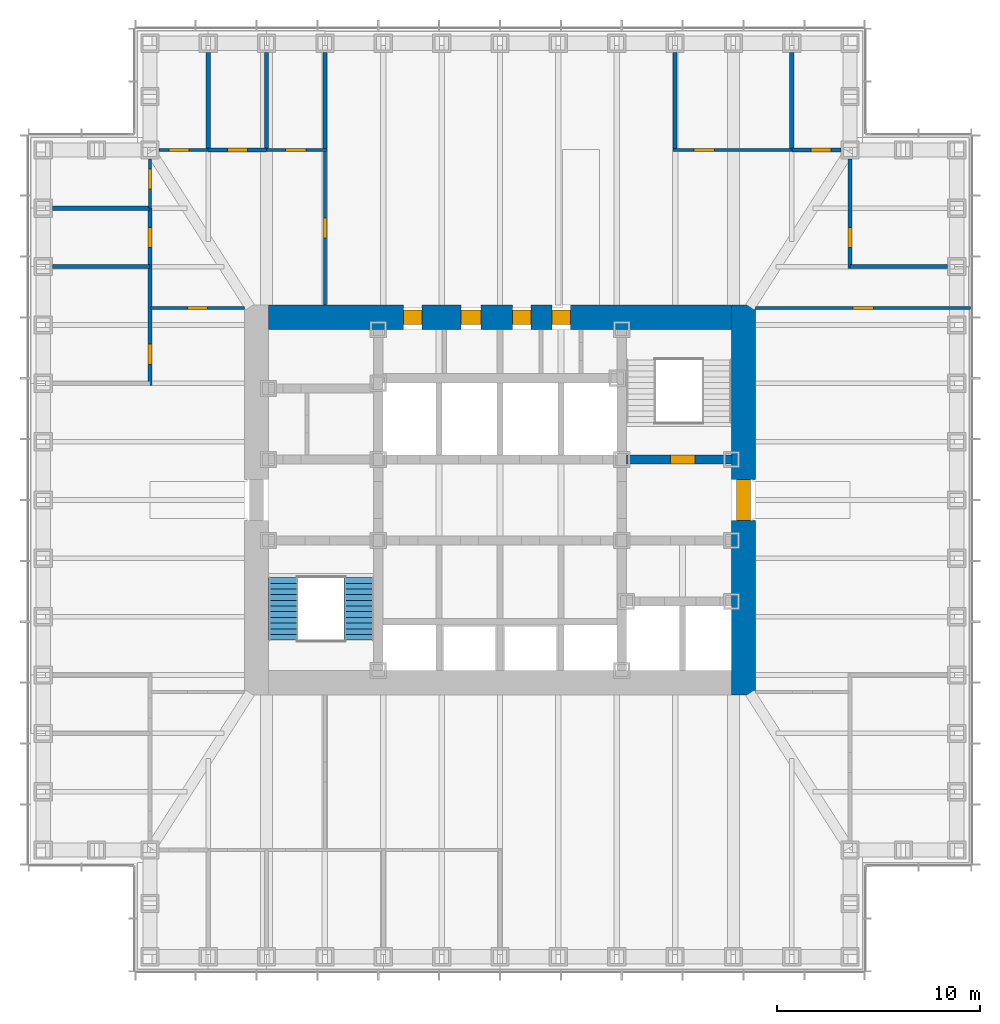
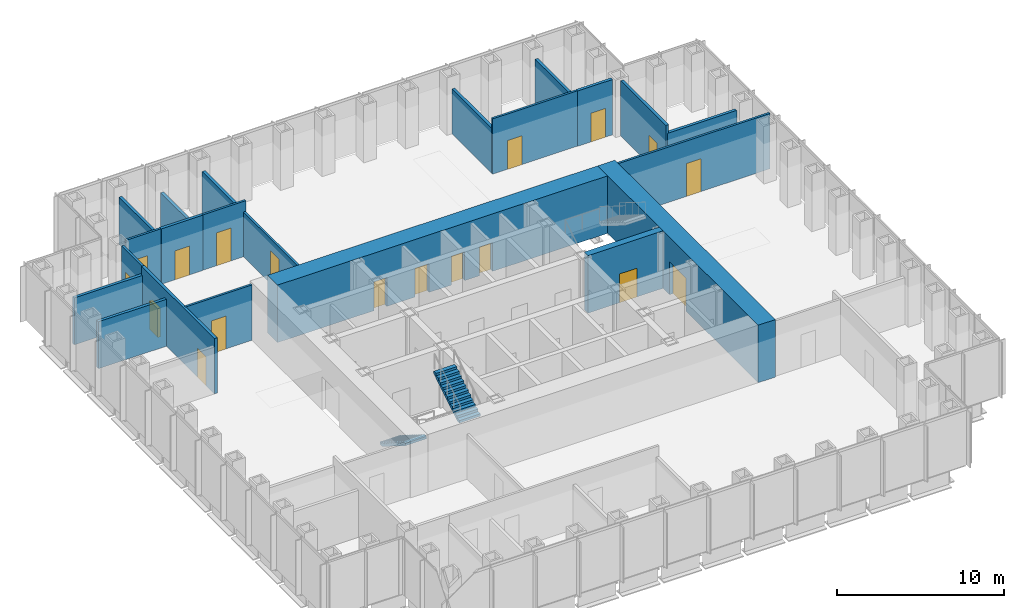
# One storey, part 10 of 17: 22 walls, 18 doors, 2 stair flights, 18 openings, 1 element without a shape of its own.
"""IFC4 building model written with IfcOpenShell, lengths in metres."""

from ifc_helpers import new_model, si_unit, direction, frame, frame_2d, origin, place, context, subcontext, project, spatial, polyline, rectangle, outline, extrude, material, layer, layer_set, type_object, element, fill, aggregate, save


model = new_model("IFC4")

# Units and contexts
model_context = context("Model", 3, precision=1e-05, world=origin(), true_north=direction((0.0, 1.0)))
body_context = subcontext(model_context, "Body", "Model", "MODEL_VIEW")
ifc_project = project(units=[si_unit("LENGTHUNIT", "METRE"), si_unit("AREAUNIT", "SQUARE_METRE"), si_unit("VOLUMEUNIT", "CUBIC_METRE"), si_unit("PLANEANGLEUNIT", "RADIAN"), si_unit("MASSUNIT", "GRAM", prefix="KILO")], contexts=[model_context])

# Site, building, storey
site_placement = place(None, origin())
site = spatial("IfcSite", under=ifc_project, at=site_placement, CompositionType="ELEMENT")
building_placement = place(site_placement, origin())
building = spatial("IfcBuilding", under=site, at=building_placement, Name="Daluyong Arena Tower", CompositionType="ELEMENT")
storey_placement = place(building_placement, frame((0.0, 0.0, 158.5)))
storey = spatial("IfcBuildingStorey", under=building, at=storey_placement, Name="L35", CompositionType="ELEMENT", Elevation=158.5)

# Wall, opening, door
ifc_material_1 = material(Name="Concrete fc' 45 MPa", Category="concrete")
ifc_layer_1 = layer(ifc_material_1, 0.449951171875)
ifc_layer_set_1 = layer_set([ifc_layer_1], Name="Concrete fc' 45 MPa")
wall_type_1 = type_object("IfcWallType", Name="Core inner wall 450", PredefinedType="SHEAR", material=ifc_layer_set_1)
wall_1_placement = place(storey_placement, frame((62.22509765625, 82.0, 0.0), z_axis=(0.0, 0.0, 1.0), x_axis=(1.0, 0.0, 0.0)))
wall_1 = element("IfcWall", 1, at=wall_1_placement, inside=storey, type_object=wall_type_1, Name="core inner wall at L35", PredefinedType="SHEAR", context=body_context, shape_type="SweptSolid", body=[
    extrude(rectangle(XDim=5.1748046875, YDim=0.449951171875, at=frame_2d((2.58740234375, 0.0))), origin(), (0.0, 0.0, 1.0), 4.199951171875),
])
opening_1_placement = place(wall_1_placement, frame((2.175048828125, 0.0, 0.0)))
opening_1 = element("IfcOpeningElement", 2, at=opening_1_placement, cuts=wall_1, Name="Opening 35014", PredefinedType="OPENING", context=body_context, shape_type="SweptSolid", body=[
    extrude(rectangle(XDim=1.199951171875, YDim=2.10009765625, at=frame_2d((0.60009765625, 1.050048828125))), frame((0.0, 0.23486328125, 0.0), z_axis=(0.0, -1.0, 0.0), x_axis=(1.0, 0.0, 0.0)), (0.0, 0.0, 1.0), 0.469970703125),
])
ifc_material_2 = material(Name="Steel door, fire rated", Category="steel")
door_type_1 = type_object("IfcDoorType", Name="Stair door 1200", OperationType="SINGLE_SWING_LEFT", PredefinedType="DOOR", material=ifc_material_2)
door_1_placement = place(opening_1_placement, origin())
door_1 = element("IfcDoor", 3, at=door_1_placement, inside=storey, type_object=door_type_1, Name="stair B door 35014", OperationType="SINGLE_SWING_LEFT", OverallHeight=2.10009765625, OverallWidth=1.199951171875, PredefinedType="DOOR", context=body_context, shape_type="SweptSolid", body=[
    extrude(rectangle(XDim=1.199951171875, YDim=2.10009765625, at=frame_2d((0.60009765625, 1.050048828125))), frame((0.0, 0.224609375, 0.0), z_axis=(0.0, -1.0, 0.0), x_axis=(1.0, 0.0, 0.0)), (0.0, 0.0, 1.0), 0.449462890625),
])
fill(opening_1, door_1)

ifc_material_3 = material(Name="Concrete fc' 60 MPa", Category="concrete")
ifc_layer_2 = layer(ifc_material_3, 1.199951171875)
ifc_layer_set_2 = layer_set([ifc_layer_2], Name="Concrete fc' 60 MPa")
wall_type_2 = type_object("IfcWallType", Name="Core wall 1200", PredefinedType="SHEAR", material=ifc_layer_set_2)
wall_2_placement = place(storey_placement, frame((68.0, 70.39990234375, 0.0), z_axis=(0.0, 0.0, 1.0), x_axis=(0.0, 1.0, 0.0)))
wall_2 = element("IfcWall", 4, at=wall_2_placement, inside=storey, type_object=wall_type_2, Name="core wall at L35", PredefinedType="SHEAR", context=body_context, shape_type="SweptSolid", body=[
    extrude(rectangle(XDim=19.2001953125, YDim=1.199951171875, at=frame_2d((9.60009765625, 0.0))), origin(), (0.0, 0.0, 1.0), 4.199951171875),
])
opening_2_placement = place(wall_2_placement, frame((8.60009765625, 0.0, 0.0)))
opening_2 = element("IfcOpeningElement", 5, at=opening_2_placement, cuts=wall_2, Name="Opening 35016", PredefinedType="OPENING", context=body_context, shape_type="SweptSolid", body=[
    extrude(rectangle(XDim=2.0, YDim=2.39990234375, at=frame_2d((1.0, 1.199951171875))), frame((0.0, 0.60986328125, 0.0), z_axis=(0.0, -1.0, 0.0), x_axis=(1.0, 0.0, 0.0)), (0.0, 0.0, 1.0), 1.219970703125),
])
ifc_material_4 = material(Name="Steel door, fire rated", Category="steel")
door_type_2 = type_object("IfcDoorType", Name="Core lobby double door 2000", OperationType="DOUBLE_DOOR_SINGLE_SWING", PredefinedType="DOOR", material=ifc_material_4)
door_2_placement = place(opening_2_placement, origin())
door_2 = element("IfcDoor", 6, at=door_2_placement, inside=storey, type_object=door_type_2, Name="core lobby door east 35016", OperationType="DOUBLE_DOOR_SINGLE_SWING", OverallHeight=2.39990234375, OverallWidth=2.0, PredefinedType="DOOR", context=body_context, shape_type="SweptSolid", body=[
    extrude(rectangle(XDim=2.0, YDim=2.39990234375, at=frame_2d((1.0, 1.199951171875))), frame((0.0, 0.35009765625, 0.0), z_axis=(0.0, -1.0, 0.0), x_axis=(1.0, 0.0, 0.0)), (0.0, 0.0, 1.0), 0.699951171875),
])
fill(opening_2, door_2)

# Wall, openings, doors
wall_3_placement = place(storey_placement, frame((44.60009765625, 89.0, 0.0), z_axis=(0.0, 0.0, 1.0), x_axis=(1.0, 0.0, 0.0)))
wall_3 = element("IfcWall", 7, at=wall_3_placement, inside=storey, type_object=wall_type_2, Name="core wall at L35", PredefinedType="SHEAR", context=body_context, shape_type="SweptSolid", body=[
    extrude(rectangle(XDim=22.7998046875, YDim=1.199951171875, at=frame_2d((11.39990234375, 0.0))), origin(), (0.0, 0.0, 1.0), 4.199951171875),
])
opening_3_placement = place(wall_3_placement, frame((9.47509765625, 0.0, 0.0)))
opening_3 = element("IfcOpeningElement", 8, at=opening_3_placement, cuts=wall_3, Name="Opening 35004", PredefinedType="OPENING", context=body_context, shape_type="SweptSolid", body=[
    extrude(rectangle(XDim=1.0, YDim=2.10009765625, at=frame_2d((0.5, 1.050048828125))), frame((0.0, 0.60986328125, 0.0), z_axis=(0.0, -1.0, 0.0), x_axis=(1.0, 0.0, 0.0)), (0.0, 0.0, 1.0), 1.219970703125),
])
opening_4_placement = place(wall_3_placement, frame((6.64990234375, 0.0, 0.0)))
opening_4 = element("IfcOpeningElement", 9, at=opening_4_placement, cuts=wall_3, Name="Opening 35005", PredefinedType="OPENING", context=body_context, shape_type="SweptSolid", body=[
    extrude(rectangle(XDim=0.89990234375, YDim=2.10009765625, at=frame_2d((0.449951171875, 1.050048828125))), frame((0.0, 0.60986328125, 0.0), z_axis=(0.0, -1.0, 0.0), x_axis=(1.0, 0.0, 0.0)), (0.0, 0.0, 1.0), 1.219970703125),
])
opening_5_placement = place(wall_3_placement, frame((12.02490234375, 0.0, 0.0)))
opening_5 = element("IfcOpeningElement", 10, at=opening_5_placement, cuts=wall_3, Name="Opening 35006", PredefinedType="OPENING", context=body_context, shape_type="SweptSolid", body=[
    extrude(rectangle(XDim=0.89990234375, YDim=2.10009765625, at=frame_2d((0.449951171875, 1.050048828125))), frame((0.0, 0.60986328125, 0.0), z_axis=(0.0, -1.0, 0.0), x_axis=(1.0, 0.0, 0.0)), (0.0, 0.0, 1.0), 1.219970703125),
])
opening_6_placement = place(wall_3_placement, frame((13.96240234375, 0.0, 0.0)))
opening_6 = element("IfcOpeningElement", 11, at=opening_6_placement, cuts=wall_3, Name="Opening 35007", PredefinedType="OPENING", context=body_context, shape_type="SweptSolid", body=[
    extrude(rectangle(XDim=0.89990234375, YDim=2.10009765625, at=frame_2d((0.449951171875, 1.050048828125))), frame((0.0, 0.60986328125, 0.0), z_axis=(0.0, -1.0, 0.0), x_axis=(1.0, 0.0, 0.0)), (0.0, 0.0, 1.0), 1.219970703125),
])
ifc_material_5 = material(Name="Timber door", Category="wood")
door_type_3 = type_object("IfcDoorType", Name="Accessible toilet door 1000", OperationType="SINGLE_SWING_LEFT", PredefinedType="DOOR", material=ifc_material_5)
door_3_placement = place(opening_3_placement, origin())
door_3 = element("IfcDoor", 12, at=door_3_placement, inside=storey, type_object=door_type_3, Name="accessible toilet door 35004", OperationType="SINGLE_SWING_LEFT", OverallHeight=2.10009765625, OverallWidth=1.0, PredefinedType="DOOR", context=body_context, shape_type="SweptSolid", body=[
    extrude(rectangle(XDim=1.0, YDim=2.10009765625, at=frame_2d((0.5, 1.050048828125))), frame((0.0, 0.35009765625, 0.0), z_axis=(0.0, -1.0, 0.0), x_axis=(1.0, 0.0, 0.0)), (0.0, 0.0, 1.0), 0.699951171875),
])
fill(opening_3, door_3)
ifc_material_6 = material(Name="Steel door, fire rated", Category="steel")
door_type_4 = type_object("IfcDoorType", Name="Core room door 900", OperationType="SINGLE_SWING_LEFT", PredefinedType="DOOR", material=ifc_material_6)
door_4_placement = place(opening_4_placement, origin())
door_4 = element("IfcDoor", 13, at=door_4_placement, inside=storey, type_object=door_type_4, Name="staff pantry door 35005", OperationType="SINGLE_SWING_LEFT", OverallHeight=2.10009765625, OverallWidth=0.89990234375, PredefinedType="DOOR", context=body_context, shape_type="SweptSolid", body=[
    extrude(rectangle(XDim=0.89990234375, YDim=2.10009765625, at=frame_2d((0.449951171875, 1.050048828125))), frame((0.0, 0.35009765625, 0.0), z_axis=(0.0, -1.0, 0.0), x_axis=(1.0, 0.0, 0.0)), (0.0, 0.0, 1.0), 0.699951171875),
])
fill(opening_4, door_4)
ifc_material_7 = material(Name="Steel door, fire rated", Category="steel")
door_type_5 = type_object("IfcDoorType", Name="Core store door 900", OperationType="SINGLE_SWING_LEFT", PredefinedType="DOOR", material=ifc_material_7)
door_5_placement = place(opening_5_placement, origin())
door_5 = element("IfcDoor", 14, at=door_5_placement, inside=storey, type_object=door_type_5, Name="facilities store door 35006", OperationType="SINGLE_SWING_LEFT", OverallHeight=2.10009765625, OverallWidth=0.89990234375, PredefinedType="DOOR", context=body_context, shape_type="SweptSolid", body=[
    extrude(rectangle(XDim=0.89990234375, YDim=2.10009765625, at=frame_2d((0.449951171875, 1.050048828125))), frame((0.0, 0.35009765625, 0.0), z_axis=(0.0, -1.0, 0.0), x_axis=(1.0, 0.0, 0.0)), (0.0, 0.0, 1.0), 0.699951171875),
])
fill(opening_5, door_5)
door_6_placement = place(opening_6_placement, origin())
door_6 = element("IfcDoor", 15, at=door_6_placement, inside=storey, type_object=door_type_5, Name="stationery store door 35007", OperationType="SINGLE_SWING_LEFT", OverallHeight=2.10009765625, OverallWidth=0.89990234375, PredefinedType="DOOR", context=body_context, shape_type="SweptSolid", body=[
    extrude(rectangle(XDim=0.89990234375, YDim=2.10009765625, at=frame_2d((0.449951171875, 1.050048828125))), frame((0.0, 0.35009765625, 0.0), z_axis=(0.0, -1.0, 0.0), x_axis=(1.0, 0.0, 0.0)), (0.0, 0.0, 1.0), 0.699951171875),
])
fill(opening_6, door_6)

# Wall, opening, door
ifc_material_8 = material(Name="Glazed aluminium partition", Category="aluminium")
ifc_layer_3 = layer(ifc_material_8, 0.14990234375)
ifc_layer_set_3 = layer_set([ifc_layer_3], Name="Glazed aluminium partition")
wall_type_3 = type_object("IfcWallType", Name="Glazed partition 150", PredefinedType="PARTITIONING", material=ifc_layer_set_3)
wall_4_placement = place(storey_placement, frame((38.800048828125, 89.449951171875, 0.0), z_axis=(0.0, 0.0, 1.0), x_axis=(1.0, 0.0, 0.0)))
wall_4 = element("IfcWall", 16, at=wall_4_placement, inside=storey, type_object=wall_type_3, Name="glazed partition at L35", PredefinedType="PARTITIONING", context=body_context, shape_type="SweptSolid", body=[
    extrude(rectangle(XDim=4.599853515625, YDim=0.14990234375, at=frame_2d((2.2998046875, 0.0))), origin(), (0.0, 0.0, 1.0), 4.0400390625),
])
opening_7_placement = place(wall_4_placement, frame((1.800048828125, 0.0, 0.0)))
opening_7 = element("IfcOpeningElement", 17, at=opening_7_placement, cuts=wall_4, Name="Opening 35043", PredefinedType="OPENING", context=body_context, shape_type="SweptSolid", body=[
    extrude(rectangle(XDim=1.0, YDim=2.39990234375, at=frame_2d((0.5, 1.199951171875))), frame((0.0, 0.0849609375, 0.0), z_axis=(0.0, -1.0, 0.0), x_axis=(1.0, 0.0, 0.0)), (0.0, 0.0, 1.0), 0.169921875),
])
ifc_material_9 = material(Name="Glazed aluminium door", Category="aluminium")
door_type_6 = type_object("IfcDoorType", Name="Meeting room glazed door 1000", OperationType="SINGLE_SWING_RIGHT", PredefinedType="DOOR", material=ifc_material_9)
door_7_placement = place(opening_7_placement, origin())
door_7 = element("IfcDoor", 18, at=door_7_placement, inside=storey, type_object=door_type_6, Name="team area screen door 35043", OperationType="SINGLE_SWING_RIGHT", OverallHeight=2.39990234375, OverallWidth=1.0, PredefinedType="DOOR", context=body_context, shape_type="SweptSolid", body=[
    extrude(rectangle(XDim=1.0, YDim=2.39990234375, at=frame_2d((0.5, 1.199951171875))), frame((0.0, 0.07470703125, 0.0), z_axis=(0.0, -1.0, 0.0), x_axis=(1.0, 0.0, 0.0)), (0.0, 0.0, 1.0), 0.1494140625),
])
fill(opening_7, door_7)

wall_5_placement = place(storey_placement, frame((68.60009765625, 89.449951171875, 0.0), z_axis=(0.0, 0.0, 1.0), x_axis=(1.0, 0.0, 0.0)))
wall_5 = element("IfcWall", 19, at=wall_5_placement, inside=storey, type_object=wall_type_3, Name="glazed partition at L35", PredefinedType="PARTITIONING", context=body_context, shape_type="SweptSolid", body=[
    extrude(rectangle(XDim=10.58984375, YDim=0.14990234375, at=frame_2d((5.294921875, 0.0))), origin(), (0.0, 0.0, 1.0), 4.0400390625),
])
opening_8_placement = place(wall_5_placement, frame((4.794921875, 0.0, 0.0)))
opening_8 = element("IfcOpeningElement", 20, at=opening_8_placement, cuts=wall_5, Name="Opening 35045", PredefinedType="OPENING", context=body_context, shape_type="SweptSolid", body=[
    extrude(rectangle(XDim=1.0, YDim=2.39990234375, at=frame_2d((0.5, 1.199951171875))), frame((0.0, 0.0849609375, 0.0), z_axis=(0.0, -1.0, 0.0), x_axis=(1.0, 0.0, 0.0)), (0.0, 0.0, 1.0), 0.169921875),
])
door_8_placement = place(opening_8_placement, origin())
door_8 = element("IfcDoor", 21, at=door_8_placement, inside=storey, type_object=door_type_6, Name="team area screen door 35045", OperationType="SINGLE_SWING_RIGHT", OverallHeight=2.39990234375, OverallWidth=1.0, PredefinedType="DOOR", context=body_context, shape_type="SweptSolid", body=[
    extrude(rectangle(XDim=1.0, YDim=2.39990234375, at=frame_2d((0.5, 1.199951171875))), frame((0.0, 0.07470703125, 0.0), z_axis=(0.0, -1.0, 0.0), x_axis=(1.0, 0.0, 0.0)), (0.0, 0.0, 1.0), 0.1494140625),
])
fill(opening_8, door_8)

wall_6_placement = place(storey_placement, frame((39.199951171875, 97.25, 0.0), z_axis=(0.0, 0.0, 1.0), x_axis=(1.0, 0.0, 0.0)))
wall_6 = element("IfcWall", 22, at=wall_6_placement, inside=storey, type_object=wall_type_3, Name="glazed partition at L35", PredefinedType="PARTITIONING", context=body_context, shape_type="SweptSolid", body=[
    extrude(rectangle(XDim=2.425048828125, YDim=0.14990234375, at=frame_2d((1.21240234375, 0.0))), origin(), (0.0, 0.0, 1.0), 4.0400390625),
])
opening_9_placement = place(wall_6_placement, frame((0.487548828125, 0.0, 0.0)))
opening_9 = element("IfcOpeningElement", 23, at=opening_9_placement, cuts=wall_6, Name="Opening 35032", PredefinedType="OPENING", context=body_context, shape_type="SweptSolid", body=[
    extrude(rectangle(XDim=1.0, YDim=2.39990234375, at=frame_2d((0.5, 1.199951171875))), frame((0.0, 0.0849609375, 0.0), z_axis=(0.0, -1.0, 0.0), x_axis=(1.0, 0.0, 0.0)), (0.0, 0.0, 1.0), 0.169921875),
])
door_9_placement = place(opening_9_placement, origin())
door_9 = element("IfcDoor", 24, at=door_9_placement, inside=storey, type_object=door_type_6, Name="focus room door 35032", OperationType="SINGLE_SWING_RIGHT", OverallHeight=2.39990234375, OverallWidth=1.0, PredefinedType="DOOR", context=body_context, shape_type="SweptSolid", body=[
    extrude(rectangle(XDim=1.0, YDim=2.39990234375, at=frame_2d((0.5, 1.199951171875))), frame((0.0, 0.07470703125, 0.0), z_axis=(0.0, -1.0, 0.0), x_axis=(1.0, 0.0, 0.0)), (0.0, 0.0, 1.0), 0.1494140625),
])
fill(opening_9, door_9)

wall_7_placement = place(storey_placement, frame((44.5, 97.25, 0.0), z_axis=(0.0, 0.0, 1.0), x_axis=(1.0, 0.0, 0.0)))
wall_7 = element("IfcWall", 25, at=wall_7_placement, inside=storey, type_object=wall_type_3, Name="glazed partition at L35", PredefinedType="PARTITIONING", context=body_context, shape_type="SweptSolid", body=[
    extrude(rectangle(XDim=2.97509765625, YDim=0.14990234375, at=frame_2d((1.487548828125, 0.0))), origin(), (0.0, 0.0, 1.0), 4.0400390625),
])
opening_10_placement = place(wall_7_placement, frame((0.9375, 0.0, 0.0)))
opening_10 = element("IfcOpeningElement", 26, at=opening_10_placement, cuts=wall_7, Name="Opening 35034", PredefinedType="OPENING", context=body_context, shape_type="SweptSolid", body=[
    extrude(rectangle(XDim=1.0, YDim=2.39990234375, at=frame_2d((0.5, 1.199951171875))), frame((0.0, 0.0849609375, 0.0), z_axis=(0.0, -1.0, 0.0), x_axis=(1.0, 0.0, 0.0)), (0.0, 0.0, 1.0), 0.169921875),
])
door_10_placement = place(opening_10_placement, origin())
door_10 = element("IfcDoor", 27, at=door_10_placement, inside=storey, type_object=door_type_6, Name="focus room door 35034", OperationType="SINGLE_SWING_RIGHT", OverallHeight=2.39990234375, OverallWidth=1.0, PredefinedType="DOOR", context=body_context, shape_type="SweptSolid", body=[
    extrude(rectangle(XDim=1.0, YDim=2.39990234375, at=frame_2d((0.5, 1.199951171875))), frame((0.0, 0.07470703125, 0.0), z_axis=(0.0, -1.0, 0.0), x_axis=(1.0, 0.0, 0.0)), (0.0, 0.0, 1.0), 0.1494140625),
])
fill(opening_10, door_10)

wall_8_placement = place(storey_placement, frame((64.52490234375, 97.25, 0.0), z_axis=(0.0, 0.0, 1.0), x_axis=(1.0, 0.0, 0.0)))
wall_8 = element("IfcWall", 28, at=wall_8_placement, inside=storey, type_object=wall_type_3, Name="glazed partition at L35", PredefinedType="PARTITIONING", context=body_context, shape_type="SweptSolid", body=[
    extrude(rectangle(XDim=5.85009765625, YDim=0.14990234375, at=frame_2d((2.925048828125, 0.0))), origin(), (0.0, 0.0, 1.0), 4.0400390625),
])
opening_11_placement = place(wall_8_placement, frame((1.03759765625, 0.0, 0.0)))
opening_11 = element("IfcOpeningElement", 29, at=opening_11_placement, cuts=wall_8, Name="Opening 35035", PredefinedType="OPENING", context=body_context, shape_type="SweptSolid", body=[
    extrude(rectangle(XDim=1.0, YDim=2.10009765625, at=frame_2d((0.5, 1.050048828125))), frame((0.0, 0.0849609375, 0.0), z_axis=(0.0, -1.0, 0.0), x_axis=(1.0, 0.0, 0.0)), (0.0, 0.0, 1.0), 0.169921875),
])
ifc_material_10 = material(Name="Timber door", Category="wood")
door_type_7 = type_object("IfcDoorType", Name="Room door 1000", OperationType="SINGLE_SWING_LEFT", PredefinedType="DOOR", material=ifc_material_10)
door_11_placement = place(opening_11_placement, origin())
door_11 = element("IfcDoor", 30, at=door_11_placement, inside=storey, type_object=door_type_7, Name="office door 35035", OperationType="SINGLE_SWING_LEFT", OverallHeight=2.10009765625, OverallWidth=1.0, PredefinedType="DOOR", context=body_context, shape_type="SweptSolid", body=[
    extrude(rectangle(XDim=1.0, YDim=2.10009765625, at=frame_2d((0.5, 1.050048828125))), frame((0.0, 0.07470703125, 0.0), z_axis=(0.0, -1.0, 0.0), x_axis=(1.0, 0.0, 0.0)), (0.0, 0.0, 1.0), 0.1494140625),
])
fill(opening_11, door_11)

wall_9_placement = place(storey_placement, frame((38.75, 94.375, 0.0), z_axis=(0.0, 0.0, 1.0), x_axis=(0.0, 1.0, 0.0)))
wall_9 = element("IfcWall", 31, at=wall_9_placement, inside=storey, type_object=wall_type_3, Name="glazed partition at L35", PredefinedType="PARTITIONING", context=body_context, shape_type="SweptSolid", body=[
    extrude(rectangle(XDim=2.425048828125, YDim=0.14990234375, at=frame_2d((1.21240234375, 0.0))), origin(), (0.0, 0.0, 1.0), 4.0400390625),
])
opening_12_placement = place(wall_9_placement, frame((0.9375, 0.0, 0.0)))
opening_12 = element("IfcOpeningElement", 32, at=opening_12_placement, cuts=wall_9, Name="Opening 35041", PredefinedType="OPENING", context=body_context, shape_type="SweptSolid", body=[
    extrude(rectangle(XDim=1.0, YDim=2.39990234375, at=frame_2d((0.5, 1.199951171875))), frame((0.0, 0.0849609375, 0.0), z_axis=(0.0, -1.0, 0.0), x_axis=(1.0, 0.0, 0.0)), (0.0, 0.0, 1.0), 0.169921875),
])
door_12_placement = place(opening_12_placement, origin())
door_12 = element("IfcDoor", 33, at=door_12_placement, inside=storey, type_object=door_type_6, Name="focus room door 35041", OperationType="SINGLE_SWING_RIGHT", OverallHeight=2.39990234375, OverallWidth=1.0, PredefinedType="DOOR", context=body_context, shape_type="SweptSolid", body=[
    extrude(rectangle(XDim=1.0, YDim=2.39990234375, at=frame_2d((0.5, 1.199951171875))), frame((0.0, 0.07470703125, 0.0), z_axis=(0.0, -1.0, 0.0), x_axis=(1.0, 0.0, 0.0)), (0.0, 0.0, 1.0), 0.1494140625),
])
fill(opening_12, door_12)

wall_10_placement = place(storey_placement, frame((47.375, 89.60009765625, 0.0), z_axis=(0.0, 0.0, 1.0), x_axis=(0.0, 1.0, 0.0)))
wall_10 = element("IfcWall", 34, at=wall_10_placement, inside=storey, type_object=wall_type_3, Name="glazed partition at L35", PredefinedType="PARTITIONING", context=body_context, shape_type="SweptSolid", body=[
    extrude(rectangle(XDim=7.599853515625, YDim=0.14990234375, at=frame_2d((3.7998046875, 0.0))), origin(), (0.0, 0.0, 1.0), 3.278076171875),
])
opening_13_placement = place(wall_10_placement, frame((3.300048828125, 0.0, 0.0)))
opening_13 = element("IfcOpeningElement", 35, at=opening_13_placement, cuts=wall_10, Name="Opening 35047", PredefinedType="OPENING", context=body_context, shape_type="SweptSolid", body=[
    extrude(rectangle(XDim=1.0, YDim=2.39990234375, at=frame_2d((0.5, 1.199951171875))), frame((0.0, 0.0849609375, 0.0), z_axis=(0.0, -1.0, 0.0), x_axis=(1.0, 0.0, 0.0)), (0.0, 0.0, 1.0), 0.169921875),
])
door_13_placement = place(opening_13_placement, origin())
door_13 = element("IfcDoor", 36, at=door_13_placement, inside=storey, type_object=door_type_6, Name="team area screen door 35047", OperationType="SINGLE_SWING_RIGHT", OverallHeight=2.39990234375, OverallWidth=1.0, PredefinedType="DOOR", context=body_context, shape_type="SweptSolid", body=[
    extrude(rectangle(XDim=1.0, YDim=2.39990234375, at=frame_2d((0.5, 1.199951171875))), frame((0.0, 0.07470703125, 0.0), z_axis=(0.0, -1.0, 0.0), x_axis=(1.0, 0.0, 0.0)), (0.0, 0.0, 1.0), 0.1494140625),
])
fill(opening_13, door_13)

# Walls
ifc_material_11 = material(Name="Concrete block partition", Category="concrete")
ifc_layer_4 = layer(ifc_material_11, 0.199951171875)
ifc_layer_set_4 = layer_set([ifc_layer_4], Name="Concrete block partition")
wall_type_4 = type_object("IfcWallType", Name="Partition 200", PredefinedType="PARTITIONING", material=ifc_layer_set_4)
for number, where, z_axis, x_axis, name in (
    (37, (73.25, 91.5, 0.0), (0.0, 0.0, 1.0), (1.0, 0.0, 0.0), "partition at L35"),
    (38, (41.625, 97.25, 0.0), (0.0, 0.0, 1.0), (0.0, 1.0, 0.0), "partition at L35"),
):
    element("IfcWall", number, at=place(storey_placement, frame(where, z_axis=z_axis, x_axis=x_axis)), inside=storey, type_object=wall_type_4, Name=name, PredefinedType="PARTITIONING", context=body_context, shape_type="SweptSolid", body=[
        extrude(rectangle(XDim=4.800048828125, YDim=0.199951171875, at=frame_2d((2.39990234375, 0.0))), origin(), (0.0, 0.0, 1.0), 3.427978515625),
    ])
wall_11_placement = place(storey_placement, frame((44.5, 97.25, 0.0), z_axis=(0.0, 0.0, 1.0), x_axis=(0.0, 1.0, 0.0)))
element("IfcWall", 39, at=wall_11_placement, inside=storey, type_object=wall_type_4, Name="partition at L35", PredefinedType="PARTITIONING", context=body_context, shape_type="SweptSolid", body=[
    extrude(rectangle(XDim=4.800048828125, YDim=0.199951171875, at=frame_2d((2.39990234375, 0.0))), origin(), (0.0, 0.0, 1.0), 2.739990234375),
])
for number, where, z_axis, x_axis, name in (
    (40, (47.375, 97.25, 0.0), (0.0, 0.0, 1.0), (0.0, 1.0, 0.0), "partition at L35"),
    (41, (64.625, 97.25, 0.0), (0.0, 0.0, 1.0), (0.0, 1.0, 0.0), "partition at L35"),
):
    element("IfcWall", number, at=place(storey_placement, frame(where, z_axis=z_axis, x_axis=x_axis)), inside=storey, type_object=wall_type_4, Name=name, PredefinedType="PARTITIONING", context=body_context, shape_type="SweptSolid", body=[
        extrude(rectangle(XDim=4.800048828125, YDim=0.199951171875, at=frame_2d((2.39990234375, 0.0))), origin(), (0.0, 0.0, 1.0), 3.278076171875),
    ])
for number, where, z_axis, x_axis, name in (
    (42, (70.375, 97.25, 0.0), (0.0, 0.0, 1.0), (0.0, 1.0, 0.0), "partition at L35"),
    (43, (33.949951171875, 91.5, 0.0), (0.0, 0.0, 1.0), (1.0, 0.0, 0.0), "partition at L35"),
    (44, (33.949951171875, 94.375, 0.0), (0.0, 0.0, 1.0), (1.0, 0.0, 0.0), "partition at L35"),
):
    element("IfcWall", number, at=place(storey_placement, frame(where, z_axis=z_axis, x_axis=x_axis)), inside=storey, type_object=wall_type_4, Name=name, PredefinedType="PARTITIONING", context=body_context, shape_type="SweptSolid", body=[
        extrude(rectangle(XDim=4.800048828125, YDim=0.199951171875, at=frame_2d((2.39990234375, 0.0))), origin(), (0.0, 0.0, 1.0), 3.427978515625),
    ])

# Wall, opening, door
wall_12_placement = place(storey_placement, frame((41.625, 97.25, 0.0), z_axis=(0.0, 0.0, 1.0), x_axis=(1.0, 0.0, 0.0)))
wall_12 = element("IfcWall", 45, at=wall_12_placement, inside=storey, type_object=wall_type_4, Name="partition at L35", PredefinedType="PARTITIONING", context=body_context, shape_type="SweptSolid", body=[
    extrude(rectangle(XDim=2.875, YDim=0.199951171875, at=frame_2d((1.4375, 0.0))), origin(), (0.0, 0.0, 1.0), 4.0400390625),
])
opening_14_placement = place(wall_12_placement, frame((0.9375, 0.0, 0.0)))
opening_14 = element("IfcOpeningElement", 46, at=opening_14_placement, cuts=wall_12, Name="Opening 35033", PredefinedType="OPENING", context=body_context, shape_type="SweptSolid", body=[
    extrude(rectangle(XDim=1.0, YDim=2.10009765625, at=frame_2d((0.5, 1.050048828125))), frame((0.0, 0.10986328125, 0.0), z_axis=(0.0, -1.0, 0.0), x_axis=(1.0, 0.0, 0.0)), (0.0, 0.0, 1.0), 0.219970703125),
])
door_14_placement = place(opening_14_placement, origin())
door_14 = element("IfcDoor", 47, at=door_14_placement, inside=storey, type_object=door_type_7, Name="copy room door 35033", OperationType="SINGLE_SWING_LEFT", OverallHeight=2.10009765625, OverallWidth=1.0, PredefinedType="DOOR", context=body_context, shape_type="SweptSolid", body=[
    extrude(rectangle(XDim=1.0, YDim=2.10009765625, at=frame_2d((0.5, 1.050048828125))), frame((0.0, 0.099609375, 0.0), z_axis=(0.0, -1.0, 0.0), x_axis=(1.0, 0.0, 0.0)), (0.0, 0.0, 1.0), 0.199462890625),
])
fill(opening_14, door_14)

wall_13_placement = place(storey_placement, frame((70.375, 97.25, 0.0), z_axis=(0.0, 0.0, 1.0), x_axis=(1.0, 0.0, 0.0)))
wall_13 = element("IfcWall", 48, at=wall_13_placement, inside=storey, type_object=wall_type_4, Name="partition at L35", PredefinedType="PARTITIONING", context=body_context, shape_type="SweptSolid", body=[
    extrude(rectangle(XDim=2.425048828125, YDim=0.199951171875, at=frame_2d((1.21240234375, 0.0))), origin(), (0.0, 0.0, 1.0), 4.0400390625),
])
opening_15_placement = place(wall_13_placement, frame((0.9375, 0.0, 0.0)))
opening_15 = element("IfcOpeningElement", 49, at=opening_15_placement, cuts=wall_13, Name="Opening 35036", PredefinedType="OPENING", context=body_context, shape_type="SweptSolid", body=[
    extrude(rectangle(XDim=1.0, YDim=2.10009765625, at=frame_2d((0.5, 1.050048828125))), frame((0.0, 0.10986328125, 0.0), z_axis=(0.0, -1.0, 0.0), x_axis=(1.0, 0.0, 0.0)), (0.0, 0.0, 1.0), 0.219970703125),
])
door_15_placement = place(opening_15_placement, origin())
door_15 = element("IfcDoor", 50, at=door_15_placement, inside=storey, type_object=door_type_7, Name="quiet room door 35036", OperationType="SINGLE_SWING_LEFT", OverallHeight=2.10009765625, OverallWidth=1.0, PredefinedType="DOOR", context=body_context, shape_type="SweptSolid", body=[
    extrude(rectangle(XDim=1.0, YDim=2.10009765625, at=frame_2d((0.5, 1.050048828125))), frame((0.0, 0.099609375, 0.0), z_axis=(0.0, -1.0, 0.0), x_axis=(1.0, 0.0, 0.0)), (0.0, 0.0, 1.0), 0.199462890625),
])
fill(opening_15, door_15)

# Wall, openings, doors
wall_14_placement = place(storey_placement, frame((38.75, 85.64990234375, 0.0), z_axis=(0.0, 0.0, 1.0), x_axis=(0.0, 1.0, 0.0)))
wall_14 = element("IfcWall", 51, at=wall_14_placement, inside=storey, type_object=wall_type_4, Name="partition at L35", PredefinedType="PARTITIONING", context=body_context, shape_type="SweptSolid", body=[
    extrude(rectangle(XDim=8.72509765625, YDim=0.199951171875, at=frame_2d((4.362548828125, 0.0))), origin(), (0.0, 0.0, 1.0), 4.0400390625),
])
opening_16_placement = place(wall_14_placement, frame((1.03759765625, 0.0, 0.0)))
opening_16 = element("IfcOpeningElement", 52, at=opening_16_placement, cuts=wall_14, Name="Opening 35039", PredefinedType="OPENING", context=body_context, shape_type="SweptSolid", body=[
    extrude(rectangle(XDim=1.0, YDim=2.10009765625, at=frame_2d((0.5, 1.050048828125))), frame((0.0, 0.10986328125, 0.0), z_axis=(0.0, -1.0, 0.0), x_axis=(1.0, 0.0, 0.0)), (0.0, 0.0, 1.0), 0.219970703125),
])
opening_17_placement = place(wall_14_placement, frame((6.78759765625, 0.0, 0.0)))
opening_17 = element("IfcOpeningElement", 53, at=opening_17_placement, cuts=wall_14, Name="Opening 35040", PredefinedType="OPENING", context=body_context, shape_type="SweptSolid", body=[
    extrude(rectangle(XDim=1.0, YDim=2.10009765625, at=frame_2d((0.5, 1.050048828125))), frame((0.0, 0.10986328125, 0.0), z_axis=(0.0, -1.0, 0.0), x_axis=(1.0, 0.0, 0.0)), (0.0, 0.0, 1.0), 0.219970703125),
])
door_16_placement = place(opening_16_placement, origin())
door_16 = element("IfcDoor", 54, at=door_16_placement, inside=storey, type_object=door_type_7, Name="project room door 35039", OperationType="SINGLE_SWING_LEFT", OverallHeight=2.10009765625, OverallWidth=1.0, PredefinedType="DOOR", context=body_context, shape_type="SweptSolid", body=[
    extrude(rectangle(XDim=1.0, YDim=2.10009765625, at=frame_2d((0.5, 1.050048828125))), frame((0.0, 0.099609375, 0.0), z_axis=(0.0, -1.0, 0.0), x_axis=(1.0, 0.0, 0.0)), (0.0, 0.0, 1.0), 0.199462890625),
])
fill(opening_16, door_16)
door_17_placement = place(opening_17_placement, origin())
door_17 = element("IfcDoor", 55, at=door_17_placement, inside=storey, type_object=door_type_7, Name="quiet room door 35040", OperationType="SINGLE_SWING_LEFT", OverallHeight=2.10009765625, OverallWidth=1.0, PredefinedType="DOOR", context=body_context, shape_type="SweptSolid", body=[
    extrude(rectangle(XDim=1.0, YDim=2.10009765625, at=frame_2d((0.5, 1.050048828125))), frame((0.0, 0.099609375, 0.0), z_axis=(0.0, -1.0, 0.0), x_axis=(1.0, 0.0, 0.0)), (0.0, 0.0, 1.0), 0.199462890625),
])
fill(opening_17, door_17)

# Wall, opening, door
wall_15_placement = place(storey_placement, frame((73.25, 91.39990234375, 0.0), z_axis=(0.0, 0.0, 1.0), x_axis=(0.0, 1.0, 0.0)))
wall_15 = element("IfcWall", 56, at=wall_15_placement, inside=storey, type_object=wall_type_4, Name="partition at L35", PredefinedType="PARTITIONING", context=body_context, shape_type="SweptSolid", body=[
    extrude(rectangle(XDim=5.400146484375, YDim=0.199951171875, at=frame_2d((2.7001953125, 0.0))), origin(), (0.0, 0.0, 1.0), 4.0400390625),
])
opening_18_placement = place(wall_15_placement, frame((1.03759765625, 0.0, 0.0)))
opening_18 = element("IfcOpeningElement", 57, at=opening_18_placement, cuts=wall_15, Name="Opening 35031", PredefinedType="OPENING", context=body_context, shape_type="SweptSolid", body=[
    extrude(rectangle(XDim=1.0, YDim=2.10009765625, at=frame_2d((0.5, 1.050048828125))), frame((0.0, 0.10986328125, 0.0), z_axis=(0.0, -1.0, 0.0), x_axis=(1.0, 0.0, 0.0)), (0.0, 0.0, 1.0), 0.219970703125),
])
door_18_placement = place(opening_18_placement, origin())
door_18 = element("IfcDoor", 58, at=door_18_placement, inside=storey, type_object=door_type_7, Name="project room door 35031", OperationType="SINGLE_SWING_LEFT", OverallHeight=2.10009765625, OverallWidth=1.0, PredefinedType="DOOR", context=body_context, shape_type="SweptSolid", body=[
    extrude(rectangle(XDim=1.0, YDim=2.10009765625, at=frame_2d((0.5, 1.050048828125))), frame((0.0, 0.099609375, 0.0), z_axis=(0.0, -1.0, 0.0), x_axis=(1.0, 0.0, 0.0)), (0.0, 0.0, 1.0), 0.199462890625),
])
fill(opening_18, door_18)

# Stair, stair flights
ifc_material_12 = material(Name="Concrete fc' 35 MPa", Category="concrete")
stair_type = type_object("IfcStairType", Name="Core exit stair", PredefinedType="HALF_TURN_STAIR", material=ifc_material_12)
stair_placement = place(storey_placement, origin())
stair = element("IfcStair", 59, at=stair_placement, inside=storey, type_object=stair_type, Name="exit stair A L35", PredefinedType="HALF_TURN_STAIR")
ifc_material_13 = material(Name="Concrete fc' 35 MPa", Category="concrete")
stair_flight_type = type_object("IfcStairFlightType", Name="Core stair flight", PredefinedType="STRAIGHT", material=ifc_material_13)
stair_flight_1_placement = place(storey_placement, frame((45.324951171875, 76.175048828125, 0.0), z_axis=(0.0, 0.0, 1.0), x_axis=(0.0, -1.0, 0.0)))
stair_flight_1 = element("IfcStairFlight", 60, at=stair_flight_1_placement, type_object=stair_flight_type, Name="STA flight 1", NumberOfRisers=12, NumberOfTreads=11, PredefinedType="STRAIGHT", RiserHeight=0.175, TreadLength=0.28, context=body_context, shape_type="SweptSolid", body=[
    extrude(outline(polyline([(0.0, 0.0), (0.0, 0.175048828125), (0.280029296875, 0.175048828125), (0.280029296875, 0.35009765625), (0.56005859375, 0.35009765625), (0.56005859375, 0.52490234375), (0.840087890625, 0.52490234375), (0.840087890625, 0.699951171875), (1.1201171875, 0.699951171875), (1.1201171875, 0.875), (1.39990234375, 0.875), (1.39990234375, 1.050048828125), (1.679931640625, 1.050048828125), (1.679931640625, 1.22509765625), (1.9599609375, 1.22509765625), (1.9599609375, 1.39990234375), (2.239990234375, 1.39990234375), (2.239990234375, 1.574951171875), (2.52001953125, 1.574951171875), (2.52001953125, 1.75), (2.800048828125, 1.75), (2.800048828125, 1.925048828125), (3.080078125, 1.925048828125), (3.080078125, 2.10009765625), (3.080078125, 1.748291015625), (0.28271484375, 0.0), (0.0, 0.0)])), frame((0.0, 0.72509765625, 0.0), z_axis=(0.0, -1.0, 0.0), x_axis=(1.0, 0.0, 0.0)), (0.0, 0.0, 1.0), 1.449951171875),
])
stair_flight_2_placement = place(storey_placement, frame((49.050048828125, 73.094970703125, 2.10009765625), z_axis=(0.0, 0.0, 1.0), x_axis=(0.0, 1.0, 0.0)))
stair_flight_2 = element("IfcStairFlight", 61, at=stair_flight_2_placement, type_object=stair_flight_type, Name="STA flight 2", NumberOfRisers=12, NumberOfTreads=11, PredefinedType="STRAIGHT", RiserHeight=0.175, TreadLength=0.28, context=body_context, shape_type="SweptSolid", body=[
    extrude(outline(polyline([(0.0, 0.0), (0.0, 0.175048828125), (0.280029296875, 0.175048828125), (0.280029296875, 0.35009765625), (0.56005859375, 0.35009765625), (0.56005859375, 0.52490234375), (0.840087890625, 0.52490234375), (0.840087890625, 0.699951171875), (1.1201171875, 0.699951171875), (1.1201171875, 0.875), (1.39990234375, 0.875), (1.39990234375, 1.050048828125), (1.679931640625, 1.050048828125), (1.679931640625, 1.22509765625), (1.9599609375, 1.22509765625), (1.9599609375, 1.39990234375), (2.239990234375, 1.39990234375), (2.239990234375, 1.574951171875), (2.52001953125, 1.574951171875), (2.52001953125, 1.75), (2.800048828125, 1.75), (2.800048828125, 1.925048828125), (3.080078125, 1.925048828125), (3.080078125, 2.10009765625), (3.080078125, 1.748291015625), (0.28271484375, 0.0), (0.0, 0.0)])), frame((0.0, 0.72509765625, 0.0), z_axis=(0.0, -1.0, 0.0), x_axis=(1.0, 0.0, 0.0)), (0.0, 0.0, 1.0), 1.449951171875),
])
aggregate(stair, [stair_flight_1, stair_flight_2])

save(model, "model.ifc")
